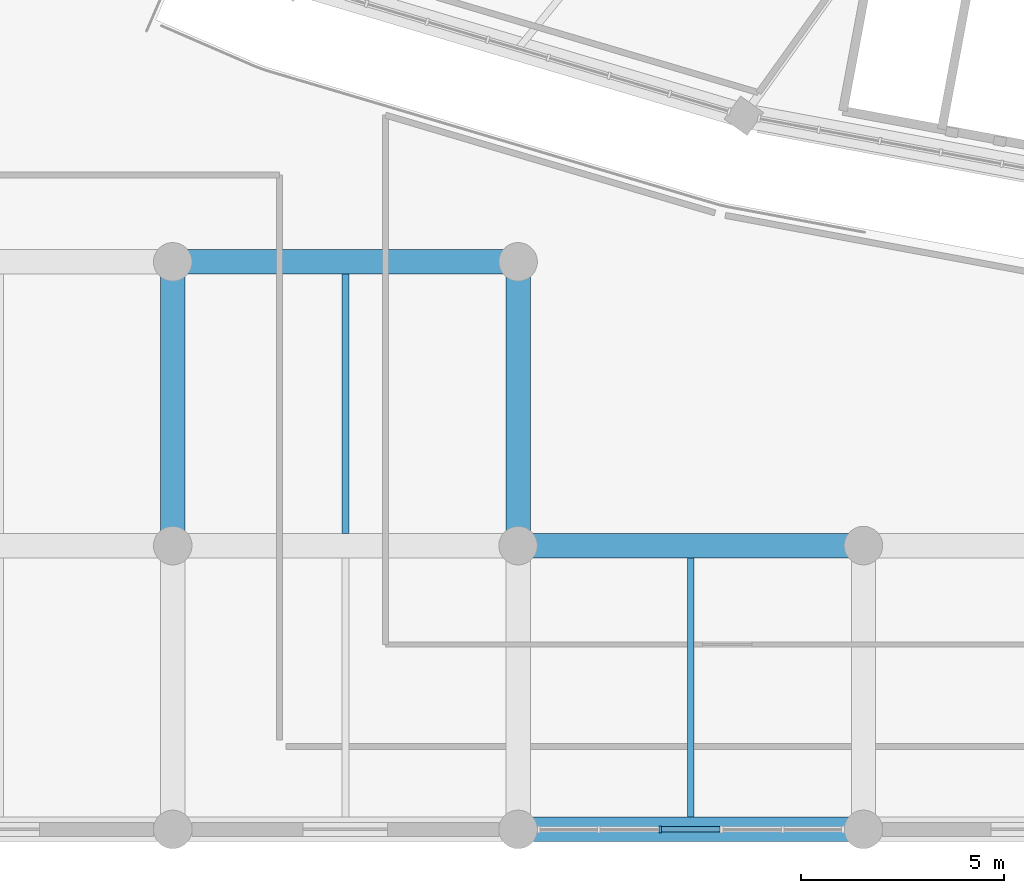
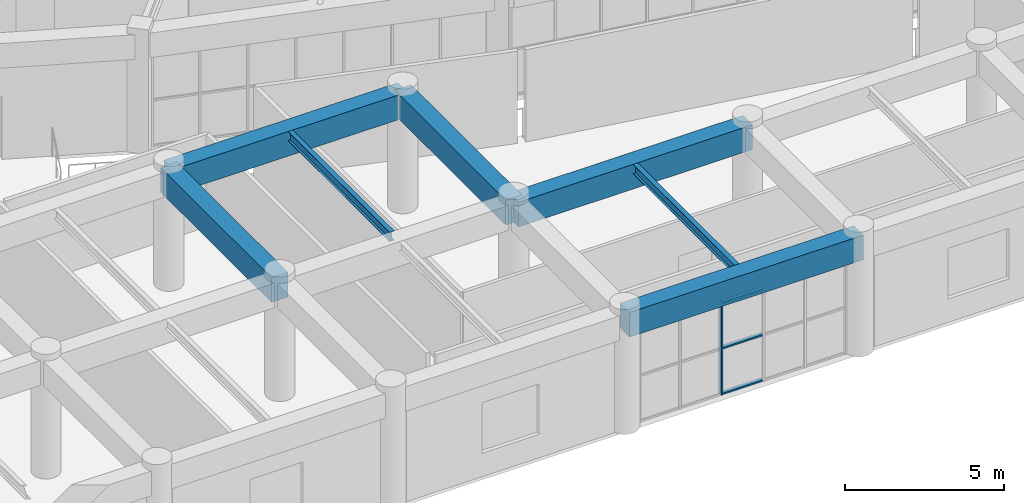
# One storey, part 14 of 137: 7 beams, 4 members, 1 element without a shape of its own.
"""IFC4 building model written with IfcOpenShell, lengths in metres."""

from ifc_helpers import new_model, si_unit, direction, frame, origin, origin_2d, place, context, subcontext, project, spatial, rectangle, i_section, extrude, material, layer, layer_set, material_profile, profile_set, type_object, element, aggregate, save


model = new_model("IFC4")

# Units and contexts
model_context = context("Model", 3, precision=1e-05, world=origin(), true_north=direction((0.0, 1.0)))
body_context = subcontext(model_context, "Body", "Model", "MODEL_VIEW")
ifc_project = project(units=[si_unit("LENGTHUNIT", "METRE"), si_unit("AREAUNIT", "SQUARE_METRE"), si_unit("VOLUMEUNIT", "CUBIC_METRE"), si_unit("PLANEANGLEUNIT", "RADIAN"), si_unit("MASSUNIT", "GRAM", prefix="KILO")], contexts=[model_context])

# Site, building, storey
site_placement = place(None, origin())
site = spatial("IfcSite", under=ifc_project, at=site_placement, CompositionType="ELEMENT")
building_placement = place(site_placement, origin())
building = spatial("IfcBuilding", under=site, at=building_placement, Name="Mphavela Belvedere Stadium", CompositionType="ELEMENT")
storey_placement = place(building_placement, frame((0.0, 0.0, 19.199951171875)))
storey = spatial("IfcBuildingStorey", under=building, at=storey_placement, Name="L04", CompositionType="ELEMENT", Elevation=19.199951171875)

# Beams
ifc_material_1 = material(Name="Concrete C40/50", Category="concrete")
ifc_material_profile_1 = material_profile(ifc_material_1, rectangle(XDim=0.60009765625, YDim=0.949951171875, at=origin_2d()), Name="RC 600x950")
ifc_profile_set_1 = profile_set([ifc_material_profile_1], Name="Concrete C40/50")
beam_type_1 = type_object("IfcBeamType", Name="BM-ENTABLATURE-950", PredefinedType="SPANDREL", material=ifc_profile_set_1)
beam_1_placement = place(storey_placement, frame((51.111083984375, 7.0, 4.06494140625), z_axis=(0.0, 1.0, 0.0), x_axis=(-1.0, 0.0, 0.0)))
element("IfcBeam", 1, at=beam_1_placement, inside=storey, type_object=beam_type_1, Name="South Axial Triumphal Peristyle Portico entablature beam Y L04 7-2", PredefinedType="SPANDREL", context=body_context, shape_type="SweptSolid", body=[
    extrude(rectangle(XDim=0.60009765625, YDim=0.949951171875, at=origin_2d()), origin(), (0.0, 0.0, 1.0), 7.0),
])
beam_2_placement = place(storey_placement, frame((51.111083984375, 14.0, 4.06494140625), z_axis=(1.0, 0.0, 0.0), x_axis=(0.0, 1.0, 0.0)))
element("IfcBeam", 2, at=beam_2_placement, inside=storey, type_object=beam_type_1, Name="South Axial Triumphal Peristyle Portico entablature beam X L04 7-3", PredefinedType="SPANDREL", context=body_context, shape_type="SweptSolid", body=[
    extrude(rectangle(XDim=0.60009765625, YDim=0.949951171875, at=origin_2d()), origin(), (0.0, 0.0, 1.0), 8.518798828125),
])
for number, where, z_axis, x_axis, name in (
    (3, (59.6298828125, 0.0, 4.06494140625), (1.0, 0.0, 0.0), (0.0, 1.0, 0.0), "South Axial Triumphal Peristyle Portico entablature beam X L04 8-1"),
    (4, (59.6298828125, 7.0, 4.06494140625), (1.0, 0.0, 0.0), (0.0, 1.0, 0.0), "South Axial Triumphal Peristyle Portico entablature beam X L04 8-2"),
):
    element("IfcBeam", number, at=place(storey_placement, frame(where, z_axis=z_axis, x_axis=x_axis)), inside=storey, type_object=beam_type_1, Name=name, PredefinedType="SPANDREL", context=body_context, shape_type="SweptSolid", body=[
        extrude(rectangle(XDim=0.60009765625, YDim=0.949951171875, at=origin_2d()), origin(), (0.0, 0.0, 1.0), 8.51806640625),
    ])
beam_3_placement = place(storey_placement, frame((59.6298828125, 7.0, 4.06494140625), z_axis=(0.0, 1.0, 0.0), x_axis=(-1.0, 0.0, 0.0)))
element("IfcBeam", 5, at=beam_3_placement, inside=storey, type_object=beam_type_1, Name="South Axial Triumphal Peristyle Portico entablature beam Y L04 8-2", PredefinedType="SPANDREL", context=body_context, shape_type="SweptSolid", body=[
    extrude(rectangle(XDim=0.60009765625, YDim=0.949951171875, at=origin_2d()), origin(), (0.0, 0.0, 1.0), 7.0),
])
ifc_material_2 = material(Name="Steel S355", Category="steel")
ifc_material_profile_2 = material_profile(ifc_material_2, i_section(OverallWidth=0.169921875, OverallDepth=0.360107421875, WebThickness=0.008056640625, FlangeThickness=0.0126953125, at=origin_2d()), Name="IPE 360")
ifc_profile_set_2 = profile_set([ifc_material_profile_2], Name="Steel S355")
beam_type_2 = type_object("IfcBeamType", Name="BM-JOIST-IPE360", PredefinedType="JOIST", material=ifc_profile_set_2)
for number, where, z_axis, x_axis, name in (
    (6, (55.37060546875, 7.300048828125, 4.360107421875), (0.0, 1.0, 0.0), (-1.0, 0.0, 0.0), "South Axial Triumphal Peristyle Portico secondary joist L04 7-2"),
    (7, (63.888916015625, 0.300048828125, 4.360107421875), (0.0, 1.0, 0.0), (-1.0, 0.0, 0.0), "South Axial Triumphal Peristyle Portico secondary joist L04 8-1"),
):
    element("IfcBeam", number, at=place(storey_placement, frame(where, z_axis=z_axis, x_axis=x_axis)), inside=storey, type_object=beam_type_2, Name=name, PredefinedType="JOIST", context=body_context, shape_type="SweptSolid", body=[
        extrude(i_section(OverallWidth=0.169921875, OverallDepth=0.360107421875, WebThickness=0.008056640625, FlangeThickness=0.0126953125, at=origin_2d()), origin(), (0.0, 0.0, 1.0), 6.39990234375),
    ])

# Curtain wall, members
ifc_material_3 = material(Name="Anodised bronze unitised curtain wall framing")
ifc_layer = layer(ifc_material_3, 0.195068359375)
ifc_layer_set = layer_set([ifc_layer], Name="Anodised bronze unitised curtain wall framing")
curtain_wall_type = type_object("IfcCurtainWallType", Name="CW-UNIT-04", PredefinedType="USERDEFINED", material=ifc_layer_set)
curtain_wall_placement = place(storey_placement, origin())
curtain_wall = element("IfcCurtainWall", 8, at=curtain_wall_placement, inside=storey, type_object=curtain_wall_type, Name="South Axial Triumphal Peristyle Portico gallery curtain wall L04-08", ObjectType="UNITISED CURTAIN WALL", PredefinedType="USERDEFINED")
ifc_material_4 = material(Name="Anodised bronze extruded aluminium", Category="aluminium")
ifc_material_profile_3 = material_profile(ifc_material_4, rectangle(XDim=0.179931640625, YDim=0.06494140625, at=origin_2d()), Name="CW-MUL 180x65")
ifc_profile_set_3 = profile_set([ifc_material_profile_3], Name="Anodised bronze extruded aluminium")
member_type_1 = type_object("IfcMemberType", Name="CWM-180x65", PredefinedType="MULLION", material=ifc_profile_set_3)
member_1_placement = place(storey_placement, frame((63.1318359375, 0.0, 0.0), z_axis=(0.0, 0.0, 1.0), x_axis=(0.0, -1.0, 0.0)))
member_1 = element("IfcMember", 9, at=member_1_placement, type_object=member_type_1, Name="CW-04 mullion 4", PredefinedType="MULLION", context=body_context, shape_type="SweptSolid", body=[
    extrude(rectangle(XDim=0.179931640625, YDim=0.06494140625, at=origin_2d()), origin(), (0.0, 0.0, 1.0), 3.56005859375),
])
ifc_material_5 = material(Name="Anodised bronze extruded aluminium", Category="aluminium")
ifc_material_profile_4 = material_profile(ifc_material_5, rectangle(XDim=0.139892578125, YDim=0.06005859375, at=origin_2d()), Name="CW-TRN 140x60")
ifc_profile_set_4 = profile_set([ifc_material_profile_4], Name="Anodised bronze extruded aluminium")
member_type_2 = type_object("IfcMemberType", Name="CWT-140x60", PredefinedType="USERDEFINED", material=ifc_profile_set_4)
member_2_placement = place(storey_placement, frame((64.61376953125, 0.0, 0.030029296875), z_axis=(-1.0, 0.0, 0.0), x_axis=(0.0, -1.0, 0.0)))
member_2 = element("IfcMember", 10, at=member_2_placement, type_object=member_type_2, Name="CW-04 transom 3.1", ObjectType="TRANSOM", PredefinedType="USERDEFINED", context=body_context, shape_type="SweptSolid", body=[
    extrude(rectangle(XDim=0.139892578125, YDim=0.06005859375, at=origin_2d()), origin(), (0.0, 0.0, 1.0), 1.449462890625),
])
member_3_placement = place(storey_placement, frame((64.61376953125, 0.0, 1.780029296875), z_axis=(-1.0, 0.0, 0.0), x_axis=(0.0, -1.0, 0.0)))
member_3 = element("IfcMember", 11, at=member_3_placement, type_object=member_type_2, Name="CW-04 transom 3.2", ObjectType="TRANSOM", PredefinedType="USERDEFINED", context=body_context, shape_type="SweptSolid", body=[
    extrude(rectangle(XDim=0.139892578125, YDim=0.06005859375, at=origin_2d()), origin(), (0.0, 0.0, 1.0), 1.449462890625),
])
member_4_placement = place(storey_placement, frame((64.61376953125, 0.0, 3.530029296875), z_axis=(-1.0, 0.0, 0.0), x_axis=(0.0, -1.0, 0.0)))
member_4 = element("IfcMember", 12, at=member_4_placement, type_object=member_type_2, Name="CW-04 transom 3.3", ObjectType="TRANSOM", PredefinedType="USERDEFINED", context=body_context, shape_type="SweptSolid", body=[
    extrude(rectangle(XDim=0.139892578125, YDim=0.06005859375, at=origin_2d()), origin(), (0.0, 0.0, 1.0), 1.449462890625),
])
aggregate(curtain_wall, [member_1, member_2, member_3, member_4])

save(model, "model.ifc")
